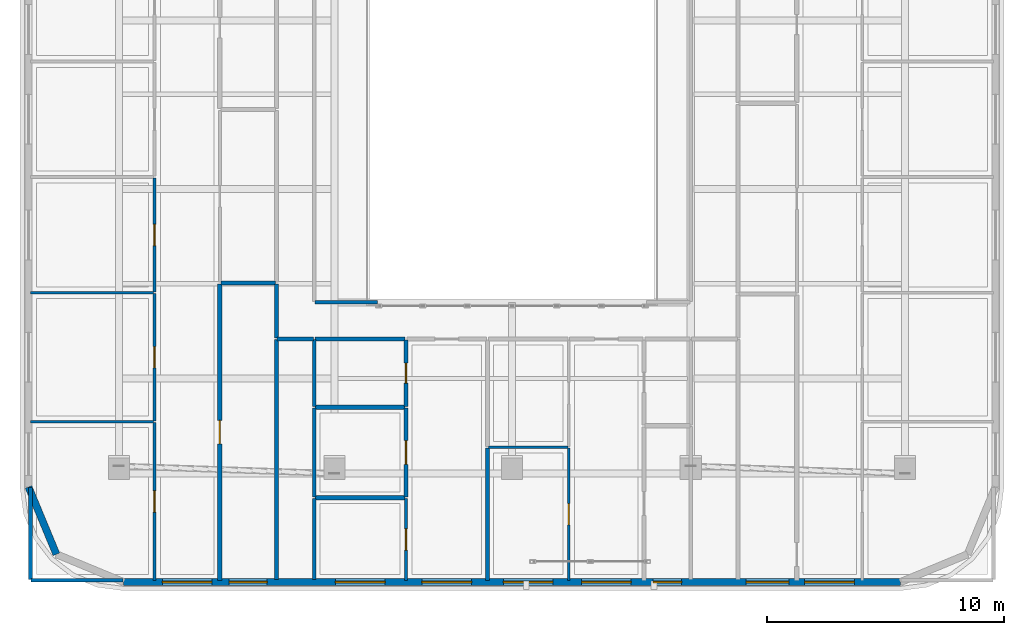
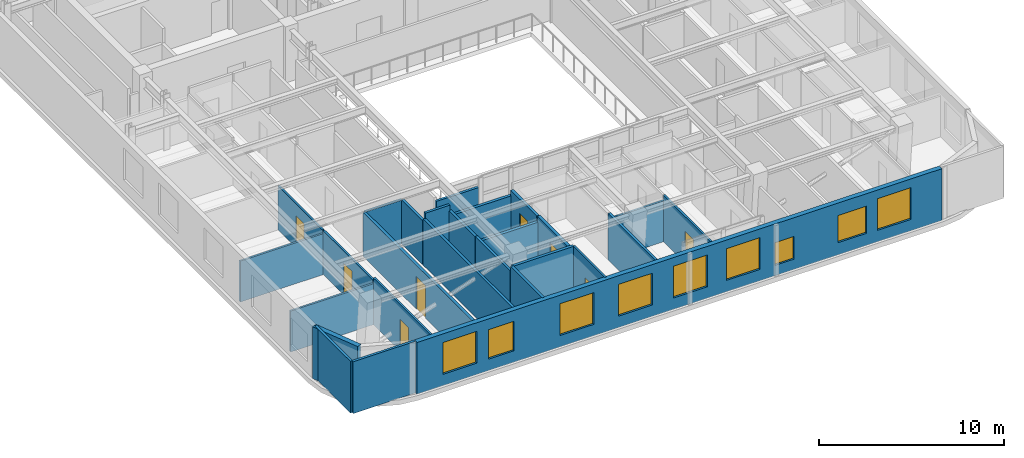
# One storey, part 7 of 14: 27 walls, 9 windows, 8 doors, 17 openings.
"""IFC4 building model written with IfcOpenShell, lengths in metres."""

from ifc_helpers import new_model, si_unit, direction, frame, frame_2d, origin, place, context, subcontext, project, spatial, rectangle, extrude, material, layer, layer_set, type_object, element, fill, save


model = new_model("IFC4")

# Units and contexts
model_context = context("Model", 3, precision=1e-05, world=origin(), true_north=direction((0.0, 1.0)))
body_context = subcontext(model_context, "Body", "Model", "MODEL_VIEW")
ifc_project = project(units=[si_unit("LENGTHUNIT", "METRE"), si_unit("AREAUNIT", "SQUARE_METRE"), si_unit("VOLUMEUNIT", "CUBIC_METRE"), si_unit("PLANEANGLEUNIT", "RADIAN"), si_unit("MASSUNIT", "GRAM", prefix="KILO")], contexts=[model_context])

# Site, building, storey
site_placement = place(None, origin())
site = spatial("IfcSite", under=ifc_project, at=site_placement, CompositionType="ELEMENT")
building_placement = place(site_placement, origin())
building = spatial("IfcBuilding", under=site, at=building_placement, Name="Zarnavel Station Tower", CompositionType="ELEMENT")
storey_placement = place(building_placement, frame((0.0, 0.0, 251.0)))
storey = spatial("IfcBuildingStorey", under=building, at=storey_placement, Name="L68", CompositionType="ELEMENT", Elevation=251.0)

# Wall
ifc_material_1 = material(Name="Precast concrete C45/55 (Dark Basalt Finish)", Category="masonry")
ifc_layer_1 = layer(ifc_material_1, 0.300048828125)
ifc_layer_set_1 = layer_set([ifc_layer_1], Name="EW_BASALT_300")
wall_type_1 = type_object("IfcWallType", Name="EW_BASALT_300", PredefinedType="SOLIDWALL", material=ifc_layer_set_1)
wall_1_placement = place(storey_placement, frame((9.557373046875, -0.24267578125, 0.0), z_axis=(0.0, 0.0, 1.0), x_axis=(-0.382676475685, 0.923882414032, 0.0)))
element("IfcWall", 1, at=wall_1_placement, inside=storey, type_object=wall_type_1, Name="L68 Exterior Basalt Masonry Frame Wall 10", PredefinedType="SOLIDWALL", context=body_context, shape_type="SweptSolid", body=[
    extrude(rectangle(XDim=3.076904296875, YDim=0.300048828125, at=frame_2d((1.53857421875, 0.0))), origin(), (0.0, 0.0, 1.0), 3.419921875),
])

# Wall, openings, windows
wall_2_placement = place(storey_placement, frame((45.199951171875, -1.419921875, 0.0), z_axis=(0.0, 0.0, 1.0), x_axis=(-1.0, 0.0, 0.0)))
wall_2 = element("IfcWall", 2, at=wall_2_placement, inside=storey, type_object=wall_type_1, Name="L68 Exterior Basalt Masonry Frame Wall 12", PredefinedType="SOLIDWALL", context=body_context, shape_type="SweptSolid", body=[
    extrude(rectangle(XDim=32.800048828125, YDim=0.300048828125, at=frame_2d((16.39990234375, 0.0))), origin(), (0.0, 0.0, 1.0), 3.419921875),
])
opening_1_placement = place(wall_2_placement, frame((29.071044921875, 0.0, 0.75)))
opening_1 = element("IfcOpeningElement", 3, at=opening_1_placement, cuts=wall_2, Name="Opening WN05", PredefinedType="OPENING", context=body_context, shape_type="SweptSolid", body=[
    extrude(rectangle(XDim=2.10009765625, YDim=2.10009765625, at=frame_2d((1.050048828125, 1.050048828125))), frame((0.0, 0.159912109375, 0.0), z_axis=(0.0, -1.0, 0.0), x_axis=(1.0, 0.0, 0.0)), (0.0, 0.0, 1.0), 0.320068359375),
])
opening_2_placement = place(wall_2_placement, frame((26.7451171875, 0.0, 0.75)))
opening_2 = element("IfcOpeningElement", 4, at=opening_2_placement, cuts=wall_2, Name="Opening WN06", PredefinedType="OPENING", context=body_context, shape_type="SweptSolid", body=[
    extrude(rectangle(XDim=1.60009765625, YDim=1.949951171875, at=frame_2d((0.800048828125, 0.97509765625))), frame((0.0, 0.159912109375, 0.0), z_axis=(0.0, -1.0, 0.0), x_axis=(1.0, 0.0, 0.0)), (0.0, 0.0, 1.0), 0.320068359375),
])
opening_3_placement = place(wall_2_placement, frame((18.10498046875, 0.0, 0.75)))
opening_3 = element("IfcOpeningElement", 5, at=opening_3_placement, cuts=wall_2, Name="Opening WN05", PredefinedType="OPENING", context=body_context, shape_type="SweptSolid", body=[
    extrude(rectangle(XDim=2.10009765625, YDim=2.10009765625, at=frame_2d((1.050048828125, 1.050048828125))), frame((0.0, 0.159912109375, 0.0), z_axis=(0.0, -1.0, 0.0), x_axis=(1.0, 0.0, 0.0)), (0.0, 0.0, 1.0), 0.320068359375),
])
opening_4_placement = place(wall_2_placement, frame((21.761962890625, 0.0, 0.75)))
opening_4 = element("IfcOpeningElement", 6, at=opening_4_placement, cuts=wall_2, Name="Opening WN05", PredefinedType="OPENING", context=body_context, shape_type="SweptSolid", body=[
    extrude(rectangle(XDim=2.10009765625, YDim=2.10009765625, at=frame_2d((1.050048828125, 1.050048828125))), frame((0.0, 0.159912109375, 0.0), z_axis=(0.0, -1.0, 0.0), x_axis=(1.0, 0.0, 0.0)), (0.0, 0.0, 1.0), 0.320068359375),
])
opening_5_placement = place(wall_2_placement, frame((11.363525390625, 0.0, 0.75)))
opening_5 = element("IfcOpeningElement", 7, at=opening_5_placement, cuts=wall_2, Name="Opening WN05", PredefinedType="OPENING", context=body_context, shape_type="SweptSolid", body=[
    extrude(rectangle(XDim=2.10009765625, YDim=2.10009765625, at=frame_2d((1.050048828125, 1.050048828125))), frame((0.0, 0.159912109375, 0.0), z_axis=(0.0, -1.0, 0.0), x_axis=(1.0, 0.0, 0.0)), (0.0, 0.0, 1.0), 0.320068359375),
])
opening_6_placement = place(wall_2_placement, frame((9.237548828125, 0.0, 0.679931640625)))
opening_6 = element("IfcOpeningElement", 8, at=opening_6_placement, cuts=wall_2, Name="Opening WN08", PredefinedType="OPENING", context=body_context, shape_type="SweptSolid", body=[
    extrude(rectangle(XDim=1.199951171875, YDim=1.5, at=frame_2d((0.60009765625, 0.75))), frame((0.0, 0.159912109375, 0.0), z_axis=(0.0, -1.0, 0.0), x_axis=(1.0, 0.0, 0.0)), (0.0, 0.0, 1.0), 0.320068359375),
])
opening_7_placement = place(wall_2_placement, frame((14.6689453125, 0.0, 0.75)))
opening_7 = element("IfcOpeningElement", 9, at=opening_7_placement, cuts=wall_2, Name="Opening WN05", PredefinedType="OPENING", context=body_context, shape_type="SweptSolid", body=[
    extrude(rectangle(XDim=2.10009765625, YDim=2.10009765625, at=frame_2d((1.050048828125, 1.050048828125))), frame((0.0, 0.159912109375, 0.0), z_axis=(0.0, -1.0, 0.0), x_axis=(1.0, 0.0, 0.0)), (0.0, 0.0, 1.0), 0.320068359375),
])
opening_8_placement = place(wall_2_placement, frame((1.93701171875, 0.0, 0.75)))
opening_8 = element("IfcOpeningElement", 10, at=opening_8_placement, cuts=wall_2, Name="Opening WN05", PredefinedType="OPENING", context=body_context, shape_type="SweptSolid", body=[
    extrude(rectangle(XDim=2.10009765625, YDim=2.10009765625, at=frame_2d((1.050048828125, 1.050048828125))), frame((0.0, 0.159912109375, 0.0), z_axis=(0.0, -1.0, 0.0), x_axis=(1.0, 0.0, 0.0)), (0.0, 0.0, 1.0), 0.320068359375),
])
opening_9_placement = place(wall_2_placement, frame((4.708984375, 0.0, 0.800048828125)))
opening_9 = element("IfcOpeningElement", 11, at=opening_9_placement, cuts=wall_2, Name="Opening WN02", PredefinedType="OPENING", context=body_context, shape_type="SweptSolid", body=[
    extrude(rectangle(XDim=1.800048828125, YDim=1.800048828125, at=frame_2d((0.89990234375, 0.89990234375))), frame((0.0, 0.159912109375, 0.0), z_axis=(0.0, -1.0, 0.0), x_axis=(1.0, 0.0, 0.0)), (0.0, 0.0, 1.0), 0.320068359375),
])
ifc_material_2 = material(Name="Thermally Broken Black Aluminium and Low-E Dark Glass", Category="aluminium")
window_type_1 = type_object("IfcWindowType", Name="WN_1200x1500", PartitioningType="SINGLE_PANEL", PredefinedType="WINDOW", material=ifc_material_2)
window_1_placement = place(opening_6_placement, origin())
window_1 = element("IfcWindow", 12, at=window_1_placement, inside=storey, type_object=window_type_1, Name="L68 Recessed Facade Window 06", OverallHeight=1.5, OverallWidth=1.199951171875, PartitioningType="SINGLE_PANEL", PredefinedType="WINDOW", context=body_context, shape_type="SweptSolid", body=[
    extrude(rectangle(XDim=1.199951171875, YDim=1.5, at=frame_2d((0.60009765625, 0.75))), frame((0.0, 0.030029296875, 0.0), z_axis=(0.0, -1.0, 0.0), x_axis=(1.0, 0.0, 0.0)), (0.0, 0.0, 1.0), 0.06005859375),
])
fill(opening_6, window_1)
ifc_material_3 = material(Name="Thermally Broken Black Aluminium and Low-E Dark Glass", Category="aluminium")
window_type_2 = type_object("IfcWindowType", Name="WN_1600x1950", PartitioningType="DOUBLE_PANEL_VERTICAL", PredefinedType="WINDOW", material=ifc_material_3)
window_2_placement = place(opening_2_placement, origin())
window_2 = element("IfcWindow", 13, at=window_2_placement, inside=storey, type_object=window_type_2, Name="L68 Recessed Facade Window 02", OverallHeight=1.949951171875, OverallWidth=1.60009765625, PartitioningType="SINGLE_PANEL", PredefinedType="WINDOW", context=body_context, shape_type="SweptSolid", body=[
    extrude(rectangle(XDim=1.60009765625, YDim=1.949951171875, at=frame_2d((0.800048828125, 0.97509765625))), frame((0.0, 0.030029296875, 0.0), z_axis=(0.0, -1.0, 0.0), x_axis=(1.0, 0.0, 0.0)), (0.0, 0.0, 1.0), 0.06005859375),
])
fill(opening_2, window_2)
ifc_material_4 = material(Name="Thermally Broken Black Aluminium and Low-E Dark Glass", Category="aluminium")
window_type_3 = type_object("IfcWindowType", Name="WN_1800x1800", PartitioningType="DOUBLE_PANEL_VERTICAL", PredefinedType="WINDOW", material=ifc_material_4)
window_3_placement = place(opening_9_placement, origin())
window_3 = element("IfcWindow", 14, at=window_3_placement, inside=storey, type_object=window_type_3, Name="L68 Recessed Facade Window 09", OverallHeight=1.800048828125, OverallWidth=1.800048828125, PartitioningType="SINGLE_PANEL", PredefinedType="WINDOW", context=body_context, shape_type="SweptSolid", body=[
    extrude(rectangle(XDim=1.800048828125, YDim=1.800048828125, at=frame_2d((0.89990234375, 0.89990234375))), frame((0.0, 0.030029296875, 0.0), z_axis=(0.0, -1.0, 0.0), x_axis=(1.0, 0.0, 0.0)), (0.0, 0.0, 1.0), 0.06005859375),
])
fill(opening_9, window_3)
ifc_material_5 = material(Name="Thermally Broken Black Aluminium and Low-E Dark Glass", Category="aluminium")
window_type_4 = type_object("IfcWindowType", Name="WN_2100x2100", PartitioningType="TRIPLE_PANEL_VERTICAL", PredefinedType="WINDOW", material=ifc_material_5)
window_4_placement = place(opening_1_placement, origin())
window_4 = element("IfcWindow", 15, at=window_4_placement, inside=storey, type_object=window_type_4, Name="L68 Recessed Facade Window 01", OverallHeight=2.10009765625, OverallWidth=2.10009765625, PartitioningType="SINGLE_PANEL", PredefinedType="WINDOW", context=body_context, shape_type="SweptSolid", body=[
    extrude(rectangle(XDim=2.10009765625, YDim=2.10009765625, at=frame_2d((1.050048828125, 1.050048828125))), frame((0.0, 0.030029296875, 0.0), z_axis=(0.0, -1.0, 0.0), x_axis=(1.0, 0.0, 0.0)), (0.0, 0.0, 1.0), 0.06005859375),
])
fill(opening_1, window_4)
window_5_placement = place(opening_3_placement, origin())
window_5 = element("IfcWindow", 16, at=window_5_placement, inside=storey, type_object=window_type_4, Name="L68 Recessed Facade Window 03", OverallHeight=2.10009765625, OverallWidth=2.10009765625, PartitioningType="SINGLE_PANEL", PredefinedType="WINDOW", context=body_context, shape_type="SweptSolid", body=[
    extrude(rectangle(XDim=2.10009765625, YDim=2.10009765625, at=frame_2d((1.050048828125, 1.050048828125))), frame((0.0, 0.030029296875, 0.0), z_axis=(0.0, -1.0, 0.0), x_axis=(1.0, 0.0, 0.0)), (0.0, 0.0, 1.0), 0.06005859375),
])
fill(opening_3, window_5)
window_6_placement = place(opening_4_placement, origin())
window_6 = element("IfcWindow", 17, at=window_6_placement, inside=storey, type_object=window_type_4, Name="L68 Recessed Facade Window 04", OverallHeight=2.10009765625, OverallWidth=2.10009765625, PartitioningType="SINGLE_PANEL", PredefinedType="WINDOW", context=body_context, shape_type="SweptSolid", body=[
    extrude(rectangle(XDim=2.10009765625, YDim=2.10009765625, at=frame_2d((1.050048828125, 1.050048828125))), frame((0.0, 0.030029296875, 0.0), z_axis=(0.0, -1.0, 0.0), x_axis=(1.0, 0.0, 0.0)), (0.0, 0.0, 1.0), 0.06005859375),
])
fill(opening_4, window_6)
window_7_placement = place(opening_5_placement, origin())
window_7 = element("IfcWindow", 18, at=window_7_placement, inside=storey, type_object=window_type_4, Name="L68 Recessed Facade Window 05", OverallHeight=2.10009765625, OverallWidth=2.10009765625, PartitioningType="SINGLE_PANEL", PredefinedType="WINDOW", context=body_context, shape_type="SweptSolid", body=[
    extrude(rectangle(XDim=2.10009765625, YDim=2.10009765625, at=frame_2d((1.050048828125, 1.050048828125))), frame((0.0, 0.030029296875, 0.0), z_axis=(0.0, -1.0, 0.0), x_axis=(1.0, 0.0, 0.0)), (0.0, 0.0, 1.0), 0.06005859375),
])
fill(opening_5, window_7)
window_8_placement = place(opening_7_placement, origin())
window_8 = element("IfcWindow", 19, at=window_8_placement, inside=storey, type_object=window_type_4, Name="L68 Recessed Facade Window 07", OverallHeight=2.10009765625, OverallWidth=2.10009765625, PartitioningType="SINGLE_PANEL", PredefinedType="WINDOW", context=body_context, shape_type="SweptSolid", body=[
    extrude(rectangle(XDim=2.10009765625, YDim=2.10009765625, at=frame_2d((1.050048828125, 1.050048828125))), frame((0.0, 0.030029296875, 0.0), z_axis=(0.0, -1.0, 0.0), x_axis=(1.0, 0.0, 0.0)), (0.0, 0.0, 1.0), 0.06005859375),
])
fill(opening_7, window_8)
window_9_placement = place(opening_8_placement, origin())
window_9 = element("IfcWindow", 20, at=window_9_placement, inside=storey, type_object=window_type_4, Name="L68 Recessed Facade Window 08", OverallHeight=2.10009765625, OverallWidth=2.10009765625, PartitioningType="SINGLE_PANEL", PredefinedType="WINDOW", context=body_context, shape_type="SweptSolid", body=[
    extrude(rectangle(XDim=2.10009765625, YDim=2.10009765625, at=frame_2d((1.050048828125, 1.050048828125))), frame((0.0, 0.030029296875, 0.0), z_axis=(0.0, -1.0, 0.0), x_axis=(1.0, 0.0, 0.0)), (0.0, 0.0, 1.0), 0.06005859375),
])
fill(opening_8, window_9)

# Walls
ifc_material_6 = material(Name="Gypsum Twin-Stud Acoustic Fire Partition", Category="concrete")
ifc_layer_2 = layer(ifc_material_6, 0.159912109375)
ifc_layer_set_2 = layer_set([ifc_layer_2], Name="PT_DEMISE_160")
wall_type_2 = type_object("IfcWallType", Name="PT_DEMISE_160", PredefinedType="PARTITIONING", material=ifc_layer_set_2)
wall_3_placement = place(storey_placement, frame((27.763916015625, -1.340087890625, 0.0), z_axis=(0.0, 0.0, 1.0), x_axis=(0.0, 1.0, 0.0)))
element("IfcWall", 21, at=wall_3_placement, inside=storey, type_object=wall_type_2, Name="L68 Partition US1ALV-US1BB1", PredefinedType="PARTITIONING", context=body_context, shape_type="SweptSolid", body=[
    extrude(rectangle(XDim=5.5791015625, YDim=0.159912109375, at=frame_2d((2.78955078125, 0.0))), origin(), (0.0, 0.0, 1.0), 3.080078125),
])
wall_4_placement = place(storey_placement, frame((18.8798828125, 8.85009765625, 0.0), z_axis=(0.0, 0.0, 1.0), x_axis=(1.0, 0.0, 0.0)))
element("IfcWall", 22, at=wall_4_placement, inside=storey, type_object=wall_type_2, Name="L68 Enclosure Wall COR-AW", PredefinedType="PARTITIONING", context=body_context, shape_type="SweptSolid", body=[
    extrude(rectangle(XDim=1.5400390625, YDim=0.159912109375, at=frame_2d((0.77001953125, 0.0))), origin(), (0.0, 0.0, 1.0), 3.419921875),
])
wall_5_placement = place(storey_placement, frame((20.47998046875, 10.39990234375, 0.0), z_axis=(0.0, 0.0, 1.0), x_axis=(1.0, 0.0, 0.0)))
element("IfcWall", 23, at=wall_5_placement, inside=storey, type_object=wall_type_2, Name="L68 Enclosure Wall COR-AS", PredefinedType="PARTITIONING", context=body_context, shape_type="SweptSolid", body=[
    extrude(rectangle(XDim=2.64013671875, YDim=0.159912109375, at=frame_2d((1.320068359375, 0.0))), origin(), (0.0, 0.0, 1.0), 2.699951171875),
])
wall_6_placement = place(storey_placement, frame((18.85009765625, -1.31005859375, 0.0), z_axis=(0.0, 0.0, 1.0), x_axis=(0.0, 1.0, 0.0)))
element("IfcWall", 24, at=wall_6_placement, inside=storey, type_object=wall_type_2, Name="L68 Enclosure Wall UW1KT", PredefinedType="PARTITIONING", context=body_context, shape_type="SweptSolid", body=[
    extrude(rectangle(XDim=10.130126953125, YDim=0.159912109375, at=frame_2d((5.06494140625, 0.0))), origin(), (0.0, 0.0, 1.0), 3.050048828125),
])
for number, where, z_axis, x_axis, name in (
    (25, (8.489990234375, -1.340087890625, 0.0), (0.0, 0.0, 1.0), (1.0, 0.0, 0.0), "L68 Enclosure Wall UW1B1"),
    (26, (8.4599609375, -1.31005859375, 0.0), (0.0, 0.0, 1.0), (0.0, 1.0, 0.0), "L68 Enclosure Wall UW1B1"),
):
    element("IfcWall", number, at=place(storey_placement, frame(where, z_axis=z_axis, x_axis=x_axis)), inside=storey, type_object=wall_type_2, Name=name, PredefinedType="PARTITIONING", context=body_context, shape_type="SweptSolid", body=[
        extrude(rectangle(XDim=3.880126953125, YDim=0.159912109375, at=frame_2d((1.93994140625, 0.0))), origin(), (0.0, 0.0, 1.0), 3.419921875),
    ])
wall_7_placement = place(storey_placement, frame((20.449951171875, -1.31005859375, 0.0), z_axis=(0.0, 0.0, 1.0), x_axis=(0.0, 1.0, 0.0)))
element("IfcWall", 27, at=wall_7_placement, inside=storey, type_object=wall_type_2, Name="L68 Enclosure Wall US1AB1", PredefinedType="PARTITIONING", context=body_context, shape_type="SweptSolid", body=[
    extrude(rectangle(XDim=3.423095703125, YDim=0.159912109375, at=frame_2d((1.71142578125, 0.0))), origin(), (0.0, 0.0, 1.0), 3.419921875),
])
wall_8_placement = place(storey_placement, frame((20.449951171875, 2.173095703125, 0.0), z_axis=(0.0, 0.0, 1.0), x_axis=(0.0, 1.0, 0.0)))
element("IfcWall", 28, at=wall_8_placement, inside=storey, type_object=wall_type_2, Name="L68 Enclosure Wall US1AKT", PredefinedType="PARTITIONING", context=body_context, shape_type="SweptSolid", body=[
    extrude(rectangle(XDim=3.762939453125, YDim=0.159912109375, at=frame_2d((1.88134765625, 0.0))), origin(), (0.0, 0.0, 1.0), 3.080078125),
])
wall_9_placement = place(storey_placement, frame((20.449951171875, 5.99609375, 0.0), z_axis=(0.0, 0.0, 1.0), x_axis=(0.0, 1.0, 0.0)))
element("IfcWall", 29, at=wall_9_placement, inside=storey, type_object=wall_type_2, Name="L68 Enclosure Wall US1ABA", PredefinedType="PARTITIONING", context=body_context, shape_type="SweptSolid", body=[
    extrude(rectangle(XDim=2.823974609375, YDim=0.159912109375, at=frame_2d((1.412109375, 0.0))), origin(), (0.0, 0.0, 1.0), 3.050048828125),
])

# Wall, opening, door
ifc_material_7 = material(Name="Gypsum Metal-Stud Interior Partition", Category="concrete")
ifc_layer_3 = layer(ifc_material_7, 0.1201171875)
ifc_layer_set_3 = layer_set([ifc_layer_3], Name="PT_ROOM_120")
wall_type_3 = type_object("IfcWallType", Name="PT_ROOM_120", PredefinedType="PARTITIONING", material=ifc_layer_set_3)
wall_10_placement = place(storey_placement, frame((13.697998046875, 5.31689453125, 0.0), z_axis=(0.0, 0.0, 1.0), x_axis=(0.0, -1.0, 0.0)))
wall_10 = element("IfcWall", 30, at=wall_10_placement, inside=storey, type_object=wall_type_3, Name="L68 Partition UW1LV-UW1B1", PredefinedType="PARTITIONING", context=body_context, shape_type="SweptSolid", body=[
    extrude(rectangle(XDim=6.656982421875, YDim=0.1201171875, at=frame_2d((3.32861328125, 0.0))), origin(), (0.0, 0.0, 1.0), 3.080078125),
])
opening_10_placement = place(wall_10_placement, frame((2.87841796875, 0.0, 0.0)))
opening_10 = element("IfcOpeningElement", 31, at=opening_10_placement, cuts=wall_10, Name="Opening ID01", PredefinedType="OPENING", context=body_context, shape_type="SweptSolid", body=[
    extrude(rectangle(XDim=0.89990234375, YDim=2.10009765625, at=frame_2d((0.449951171875, 1.050048828125))), frame((0.0, 0.070068359375, 0.0), z_axis=(0.0, -1.0, 0.0), x_axis=(1.0, 0.0, 0.0)), (0.0, 0.0, 1.0), 0.14013671875),
])
ifc_material_8 = material(Name="Painted Galvanised Steel and Hardwood Leaf", Category="steel")
door_type_1 = type_object("IfcDoorType", Name="ID_ROOM_900", OperationType="NOTDEFINED", PredefinedType="DOOR", material=ifc_material_8)
door_1_placement = place(opening_10_placement, origin())
door_1 = element("IfcDoor", 32, at=door_1_placement, inside=storey, type_object=door_type_1, Name="L68 Door UW1LV-UW1B1", OperationType="SINGLE_SWING_RIGHT", OverallHeight=2.10009765625, OverallWidth=0.89990234375, PredefinedType="DOOR", context=body_context, shape_type="SweptSolid", body=[
    extrude(rectangle(XDim=0.89990234375, YDim=2.10009765625, at=frame_2d((0.449951171875, 1.050048828125))), frame((0.0, 0.02490234375, 0.0), z_axis=(0.0, -1.0, 0.0), x_axis=(1.0, 0.0, 0.0)), (0.0, 0.0, 1.0), 0.050048828125),
])
fill(opening_10, door_1)

wall_11_placement = place(storey_placement, frame((13.697998046875, 5.39697265625, 0.0), z_axis=(0.0, 0.0, 1.0), x_axis=(0.0, 1.0, 0.0)))
wall_11 = element("IfcWall", 33, at=wall_11_placement, inside=storey, type_object=wall_type_3, Name="L68 Partition UW1LV-UW1B2", PredefinedType="PARTITIONING", context=body_context, shape_type="SweptSolid", body=[
    extrude(rectangle(XDim=5.369140625, YDim=0.1201171875, at=frame_2d((2.6845703125, 0.0))), origin(), (0.0, 0.0, 1.0), 2.89990234375),
])
opening_11_placement = place(wall_11_placement, frame((2.234619140625, 0.0, 0.0)))
opening_11 = element("IfcOpeningElement", 34, at=opening_11_placement, cuts=wall_11, Name="Opening ID01", PredefinedType="OPENING", context=body_context, shape_type="SweptSolid", body=[
    extrude(rectangle(XDim=0.89990234375, YDim=2.10009765625, at=frame_2d((0.449951171875, 1.050048828125))), frame((0.0, 0.070068359375, 0.0), z_axis=(0.0, -1.0, 0.0), x_axis=(1.0, 0.0, 0.0)), (0.0, 0.0, 1.0), 0.14013671875),
])
door_2_placement = place(opening_11_placement, origin())
door_2 = element("IfcDoor", 35, at=door_2_placement, inside=storey, type_object=door_type_1, Name="L68 Door UW1LV-UW1B2", OperationType="SINGLE_SWING_LEFT", OverallHeight=2.10009765625, OverallWidth=0.89990234375, PredefinedType="DOOR", context=body_context, shape_type="SweptSolid", body=[
    extrude(rectangle(XDim=0.89990234375, YDim=2.10009765625, at=frame_2d((0.449951171875, 1.050048828125))), frame((0.0, 0.02490234375, 0.0), z_axis=(0.0, -1.0, 0.0), x_axis=(1.0, 0.0, 0.0)), (0.0, 0.0, 1.0), 0.050048828125),
])
fill(opening_11, door_2)

wall_12_placement = place(storey_placement, frame((13.697998046875, 10.845947265625, 0.0), z_axis=(0.0, 0.0, 1.0), x_axis=(0.0, 1.0, 0.0)))
wall_12 = element("IfcWall", 36, at=wall_12_placement, inside=storey, type_object=wall_type_3, Name="L68 Partition UW1LV-UW1B3", PredefinedType="PARTITIONING", context=body_context, shape_type="SweptSolid", body=[
    extrude(rectangle(XDim=4.801025390625, YDim=0.1201171875, at=frame_2d((2.400390625, 0.0))), origin(), (0.0, 0.0, 1.0), 2.89990234375),
])
opening_12_placement = place(wall_12_placement, frame((1.950439453125, 0.0, 0.0)))
opening_12 = element("IfcOpeningElement", 37, at=opening_12_placement, cuts=wall_12, Name="Opening ID01", PredefinedType="OPENING", context=body_context, shape_type="SweptSolid", body=[
    extrude(rectangle(XDim=0.89990234375, YDim=2.10009765625, at=frame_2d((0.449951171875, 1.050048828125))), frame((0.0, 0.070068359375, 0.0), z_axis=(0.0, -1.0, 0.0), x_axis=(1.0, 0.0, 0.0)), (0.0, 0.0, 1.0), 0.14013671875),
])
door_3_placement = place(opening_12_placement, origin())
door_3 = element("IfcDoor", 38, at=door_3_placement, inside=storey, type_object=door_type_1, Name="L68 Door UW1LV-UW1B3", OperationType="SINGLE_SWING_RIGHT", OverallHeight=2.10009765625, OverallWidth=0.89990234375, PredefinedType="DOOR", context=body_context, shape_type="SweptSolid", body=[
    extrude(rectangle(XDim=0.89990234375, YDim=2.10009765625, at=frame_2d((0.449951171875, 1.050048828125))), frame((0.0, 0.02490234375, 0.0), z_axis=(0.0, -1.0, 0.0), x_axis=(1.0, 0.0, 0.0)), (0.0, 0.0, 1.0), 0.050048828125),
])
fill(opening_12, door_3)

# Walls
for number, where, z_axis, x_axis, name in (
    (39, (8.4599609375, 5.35693359375, 0.0), (0.0, 0.0, 1.0), (1.0, 0.0, 0.0), "L68 Partition UW1B1-UW1B2"),
    (40, (8.4599609375, 10.805908203125, 0.0), (0.0, 0.0, 1.0), (1.0, 0.0, 0.0), "L68 Partition UW1B2-UW1B3"),
):
    element("IfcWall", number, at=place(storey_placement, frame(where, z_axis=z_axis, x_axis=x_axis)), inside=storey, type_object=wall_type_3, Name=name, PredefinedType="PARTITIONING", context=body_context, shape_type="SweptSolid", body=[
        extrude(rectangle(XDim=5.197998046875, YDim=0.1201171875, at=frame_2d((2.59912109375, 0.0))), origin(), (0.0, 0.0, 1.0), 2.699951171875),
    ])

# Wall, opening, door
wall_13_placement = place(storey_placement, frame((24.325927734375, -1.340087890625, 0.0), z_axis=(0.0, 0.0, 1.0), x_axis=(0.0, 1.0, 0.0)))
wall_13 = element("IfcWall", 41, at=wall_13_placement, inside=storey, type_object=wall_type_3, Name="L68 Partition US1ALV-US1AB1", PredefinedType="PARTITIONING", context=body_context, shape_type="SweptSolid", body=[
    extrude(rectangle(XDim=3.443115234375, YDim=0.1201171875, at=frame_2d((1.7216796875, 0.0))), origin(), (0.0, 0.0, 1.0), 3.419921875),
])
opening_13_placement = place(wall_13_placement, frame((1.271484375, 0.0, 0.0)))
opening_13 = element("IfcOpeningElement", 42, at=opening_13_placement, cuts=wall_13, Name="Opening ID01", PredefinedType="OPENING", context=body_context, shape_type="SweptSolid", body=[
    extrude(rectangle(XDim=0.89990234375, YDim=2.10009765625, at=frame_2d((0.449951171875, 1.050048828125))), frame((0.0, 0.070068359375, 0.0), z_axis=(0.0, -1.0, 0.0), x_axis=(1.0, 0.0, 0.0)), (0.0, 0.0, 1.0), 0.14013671875),
])
door_4_placement = place(opening_13_placement, origin())
door_4 = element("IfcDoor", 43, at=door_4_placement, inside=storey, type_object=door_type_1, Name="L68 Door US1ALV-US1AB1", OperationType="SINGLE_SWING_LEFT", OverallHeight=2.10009765625, OverallWidth=0.89990234375, PredefinedType="DOOR", context=body_context, shape_type="SweptSolid", body=[
    extrude(rectangle(XDim=0.89990234375, YDim=2.10009765625, at=frame_2d((0.449951171875, 1.050048828125))), frame((0.0, 0.02490234375, 0.0), z_axis=(0.0, -1.0, 0.0), x_axis=(1.0, 0.0, 0.0)), (0.0, 0.0, 1.0), 0.050048828125),
])
fill(opening_13, door_4)

wall_14_placement = place(storey_placement, frame((31.197998046875, -1.340087890625, 0.0), z_axis=(0.0, 0.0, 1.0), x_axis=(0.0, 1.0, 0.0)))
wall_14 = element("IfcWall", 44, at=wall_14_placement, inside=storey, type_object=wall_type_3, Name="L68 Partition US1BLV-US1BB1", PredefinedType="PARTITIONING", context=body_context, shape_type="SweptSolid", body=[
    extrude(rectangle(XDim=5.5791015625, YDim=0.1201171875, at=frame_2d((2.78955078125, 0.0))), origin(), (0.0, 0.0, 1.0), 3.080078125),
])
opening_14_placement = place(wall_14_placement, frame((2.339599609375, 0.0, 0.0)))
opening_14 = element("IfcOpeningElement", 45, at=opening_14_placement, cuts=wall_14, Name="Opening ID01", PredefinedType="OPENING", context=body_context, shape_type="SweptSolid", body=[
    extrude(rectangle(XDim=0.89990234375, YDim=2.10009765625, at=frame_2d((0.449951171875, 1.050048828125))), frame((0.0, 0.070068359375, 0.0), z_axis=(0.0, -1.0, 0.0), x_axis=(1.0, 0.0, 0.0)), (0.0, 0.0, 1.0), 0.14013671875),
])
door_5_placement = place(opening_14_placement, origin())
door_5 = element("IfcDoor", 46, at=door_5_placement, inside=storey, type_object=door_type_1, Name="L68 Door US1BLV-US1BB1", OperationType="SINGLE_SWING_RIGHT", OverallHeight=2.10009765625, OverallWidth=0.89990234375, PredefinedType="DOOR", context=body_context, shape_type="SweptSolid", body=[
    extrude(rectangle(XDim=0.89990234375, YDim=2.10009765625, at=frame_2d((0.449951171875, 1.050048828125))), frame((0.0, 0.02490234375, 0.0), z_axis=(0.0, -1.0, 0.0), x_axis=(1.0, 0.0, 0.0)), (0.0, 0.0, 1.0), 0.050048828125),
])
fill(opening_14, door_5)

# Walls
wall_15_placement = place(storey_placement, frame((27.803955078125, 4.279052734375, 0.0), z_axis=(0.0, 0.0, 1.0), x_axis=(1.0, 0.0, 0.0)))
element("IfcWall", 47, at=wall_15_placement, inside=storey, type_object=wall_type_3, Name="L68 Partition US1BB1-US1BB2", PredefinedType="PARTITIONING", context=body_context, shape_type="SweptSolid", body=[
    extrude(rectangle(XDim=3.35400390625, YDim=0.1201171875, at=frame_2d((1.677001953125, 0.0))), origin(), (0.0, 0.0, 1.0), 2.699951171875),
])
ifc_material_9 = material(Name="Moisture-Resistant Plumbing Chase Wall", Category="concrete")
ifc_layer_4 = layer(ifc_material_9, 0.179931640625)
ifc_layer_set_4 = layer_set([ifc_layer_4], Name="PW_PLUMB_180")
wall_type_4 = type_object("IfcWallType", Name="PW_PLUMB_180", PredefinedType="PLUMBINGWALL", material=ifc_layer_set_4)
wall_16_placement = place(storey_placement, frame((18.85009765625, 8.889892578125, 0.0), z_axis=(0.0, 0.0, 1.0), x_axis=(0.0, 1.0, 0.0)))
element("IfcWall", 48, at=wall_16_placement, inside=storey, type_object=wall_type_4, Name="L68 Partition COR-AW-UW1KT", PredefinedType="PLUMBINGWALL", context=body_context, shape_type="SweptSolid", body=[
    extrude(rectangle(XDim=2.2822265625, YDim=0.179931640625, at=frame_2d((1.14111328125, 0.0))), origin(), (0.0, 0.0, 1.0), 2.89990234375),
])
wall_17_placement = place(storey_placement, frame((20.489990234375, 8.85009765625, 0.0), z_axis=(0.0, 0.0, 1.0), x_axis=(1.0, 0.0, 0.0)))
element("IfcWall", 49, at=wall_17_placement, inside=storey, type_object=wall_type_4, Name="L68 Partition COR-AS-US1ABA", PredefinedType="PLUMBINGWALL", context=body_context, shape_type="SweptSolid", body=[
    extrude(rectangle(XDim=3.7958984375, YDim=0.179931640625, at=frame_2d((1.89794921875, 0.0))), origin(), (0.0, 0.0, 1.0), 2.699951171875),
])

# Wall, opening, door
wall_18_placement = place(storey_placement, frame((16.4599609375, -1.340087890625, 0.0), z_axis=(0.0, 0.0, 1.0), x_axis=(0.0, 1.0, 0.0)))
wall_18 = element("IfcWall", 50, at=wall_18_placement, inside=storey, type_object=wall_type_4, Name="L68 Partition UW1LV-UW1KT", PredefinedType="PLUMBINGWALL", context=body_context, shape_type="SweptSolid", body=[
    extrude(rectangle(XDim=12.51220703125, YDim=0.179931640625, at=frame_2d((6.256103515625, 0.0))), origin(), (0.0, 0.0, 1.0), 2.89990234375),
])
opening_15_placement = place(wall_18_placement, frame((5.756103515625, 0.0, 0.0)))
opening_15 = element("IfcOpeningElement", 51, at=opening_15_placement, cuts=wall_18, Name="Opening FD02", PredefinedType="OPENING", context=body_context, shape_type="SweptSolid", body=[
    extrude(rectangle(XDim=1.0, YDim=2.14990234375, at=frame_2d((0.5, 1.074951171875))), frame((0.0, 0.099853515625, 0.0), z_axis=(0.0, -1.0, 0.0), x_axis=(1.0, 0.0, 0.0)), (0.0, 0.0, 1.0), 0.199951171875),
])
ifc_material_10 = material(Name="Painted Galvanised Steel and Hardwood Leaf", Category="steel")
door_type_2 = type_object("IfcDoorType", Name="ID_ENTRY_1000", OperationType="NOTDEFINED", PredefinedType="DOOR", material=ifc_material_10)
door_6_placement = place(opening_15_placement, origin())
door_6 = element("IfcDoor", 52, at=door_6_placement, inside=storey, type_object=door_type_2, Name="L68 Door UW1LV-UW1KT", OperationType="SINGLE_SWING_LEFT", OverallHeight=2.14990234375, OverallWidth=1.0, PredefinedType="DOOR", context=body_context, shape_type="SweptSolid", body=[
    extrude(rectangle(XDim=1.0, YDim=2.14990234375, at=frame_2d((0.5, 1.074951171875))), frame((0.0, 0.02490234375, 0.0), z_axis=(0.0, -1.0, 0.0), x_axis=(1.0, 0.0, 0.0)), (0.0, 0.0, 1.0), 0.050048828125),
])
fill(opening_15, door_6)

# Wall
wall_19_placement = place(storey_placement, frame((16.5, 11.2119140625, 0.0), z_axis=(0.0, 0.0, 1.0), x_axis=(1.0, 0.0, 0.0)))
element("IfcWall", 53, at=wall_19_placement, inside=storey, type_object=wall_type_4, Name="L68 Partition UW1KT-UW1UT", PredefinedType="PLUMBINGWALL", context=body_context, shape_type="SweptSolid", body=[
    extrude(rectangle(XDim=2.31005859375, YDim=0.179931640625, at=frame_2d((1.155029296875, 0.0))), origin(), (0.0, 0.0, 1.0), 2.89990234375),
])

# Wall, opening, door
wall_20_placement = place(storey_placement, frame((24.325927734375, 2.18310546875, 0.0), z_axis=(0.0, 0.0, 1.0), x_axis=(0.0, 1.0, 0.0)))
wall_20 = element("IfcWall", 54, at=wall_20_placement, inside=storey, type_object=wall_type_4, Name="L68 Partition US1ALV-US1AKT", PredefinedType="PLUMBINGWALL", context=body_context, shape_type="SweptSolid", body=[
    extrude(rectangle(XDim=3.742919921875, YDim=0.179931640625, at=frame_2d((1.87158203125, 0.0))), origin(), (0.0, 0.0, 1.0), 3.080078125),
])
opening_16_placement = place(wall_20_placement, frame((1.37158203125, 0.0, 0.0)))
opening_16 = element("IfcOpeningElement", 55, at=opening_16_placement, cuts=wall_20, Name="Opening FD02", PredefinedType="OPENING", context=body_context, shape_type="SweptSolid", body=[
    extrude(rectangle(XDim=1.0, YDim=2.14990234375, at=frame_2d((0.5, 1.074951171875))), frame((0.0, 0.099853515625, 0.0), z_axis=(0.0, -1.0, 0.0), x_axis=(1.0, 0.0, 0.0)), (0.0, 0.0, 1.0), 0.199951171875),
])
door_7_placement = place(opening_16_placement, origin())
door_7 = element("IfcDoor", 56, at=door_7_placement, inside=storey, type_object=door_type_2, Name="L68 Door US1ALV-US1AKT", OperationType="SINGLE_SWING_RIGHT", OverallHeight=2.14990234375, OverallWidth=1.0, PredefinedType="DOOR", context=body_context, shape_type="SweptSolid", body=[
    extrude(rectangle(XDim=1.0, YDim=2.14990234375, at=frame_2d((0.5, 1.074951171875))), frame((0.0, 0.02490234375, 0.0), z_axis=(0.0, -1.0, 0.0), x_axis=(1.0, 0.0, 0.0)), (0.0, 0.0, 1.0), 0.050048828125),
])
fill(opening_16, door_7)

wall_21_placement = place(storey_placement, frame((24.325927734375, 6.006103515625, 0.0), z_axis=(0.0, 0.0, 1.0), x_axis=(0.0, 1.0, 0.0)))
wall_21 = element("IfcWall", 57, at=wall_21_placement, inside=storey, type_object=wall_type_4, Name="L68 Partition US1ALV-US1ABA", PredefinedType="PLUMBINGWALL", context=body_context, shape_type="SweptSolid", body=[
    extrude(rectangle(XDim=2.803955078125, YDim=0.179931640625, at=frame_2d((1.40185546875, 0.0))), origin(), (0.0, 0.0, 1.0), 3.0400390625),
])
opening_17_placement = place(wall_21_placement, frame((0.97705078125, 0.0, 0.0)))
opening_17 = element("IfcOpeningElement", 58, at=opening_17_placement, cuts=wall_21, Name="Opening ID02", PredefinedType="OPENING", context=body_context, shape_type="SweptSolid", body=[
    extrude(rectangle(XDim=0.85009765625, YDim=2.10009765625, at=frame_2d((0.425048828125, 1.050048828125))), frame((0.0, 0.099853515625, 0.0), z_axis=(0.0, -1.0, 0.0), x_axis=(1.0, 0.0, 0.0)), (0.0, 0.0, 1.0), 0.199951171875),
])
ifc_material_11 = material(Name="Painted Galvanised Steel and Hardwood Leaf", Category="steel")
door_type_3 = type_object("IfcDoorType", Name="ID_BATH_850", OperationType="NOTDEFINED", PredefinedType="DOOR", material=ifc_material_11)
door_8_placement = place(opening_17_placement, origin())
door_8 = element("IfcDoor", 59, at=door_8_placement, inside=storey, type_object=door_type_3, Name="L68 Door US1ALV-US1ABA", OperationType="SINGLE_SWING_LEFT", OverallHeight=2.10009765625, OverallWidth=0.85009765625, PredefinedType="DOOR", context=body_context, shape_type="SweptSolid", body=[
    extrude(rectangle(XDim=0.85009765625, YDim=2.10009765625, at=frame_2d((0.425048828125, 1.050048828125))), frame((0.0, 0.02490234375, 0.0), z_axis=(0.0, -1.0, 0.0), x_axis=(1.0, 0.0, 0.0)), (0.0, 0.0, 1.0), 0.050048828125),
])
fill(opening_17, door_8)

# Walls
wall_22_placement = place(storey_placement, frame((20.489990234375, 2.14306640625, 0.0), z_axis=(0.0, 0.0, 1.0), x_axis=(1.0, 0.0, 0.0)))
element("IfcWall", 60, at=wall_22_placement, inside=storey, type_object=wall_type_4, Name="L68 Partition US1AB1-US1AKT", PredefinedType="PLUMBINGWALL", context=body_context, shape_type="SweptSolid", body=[
    extrude(rectangle(XDim=3.7958984375, YDim=0.179931640625, at=frame_2d((1.89794921875, 0.0))), origin(), (0.0, 0.0, 1.0), 3.419921875),
])
wall_23_placement = place(storey_placement, frame((20.489990234375, 5.966064453125, 0.0), z_axis=(0.0, 0.0, 1.0), x_axis=(1.0, 0.0, 0.0)))
element("IfcWall", 61, at=wall_23_placement, inside=storey, type_object=wall_type_4, Name="L68 Partition US1AKT-US1ABA", PredefinedType="PLUMBINGWALL", context=body_context, shape_type="SweptSolid", body=[
    extrude(rectangle(XDim=3.7958984375, YDim=0.179931640625, at=frame_2d((1.89794921875, 0.0))), origin(), (0.0, 0.0, 1.0), 2.699951171875),
])

save(model, "model.ifc")
